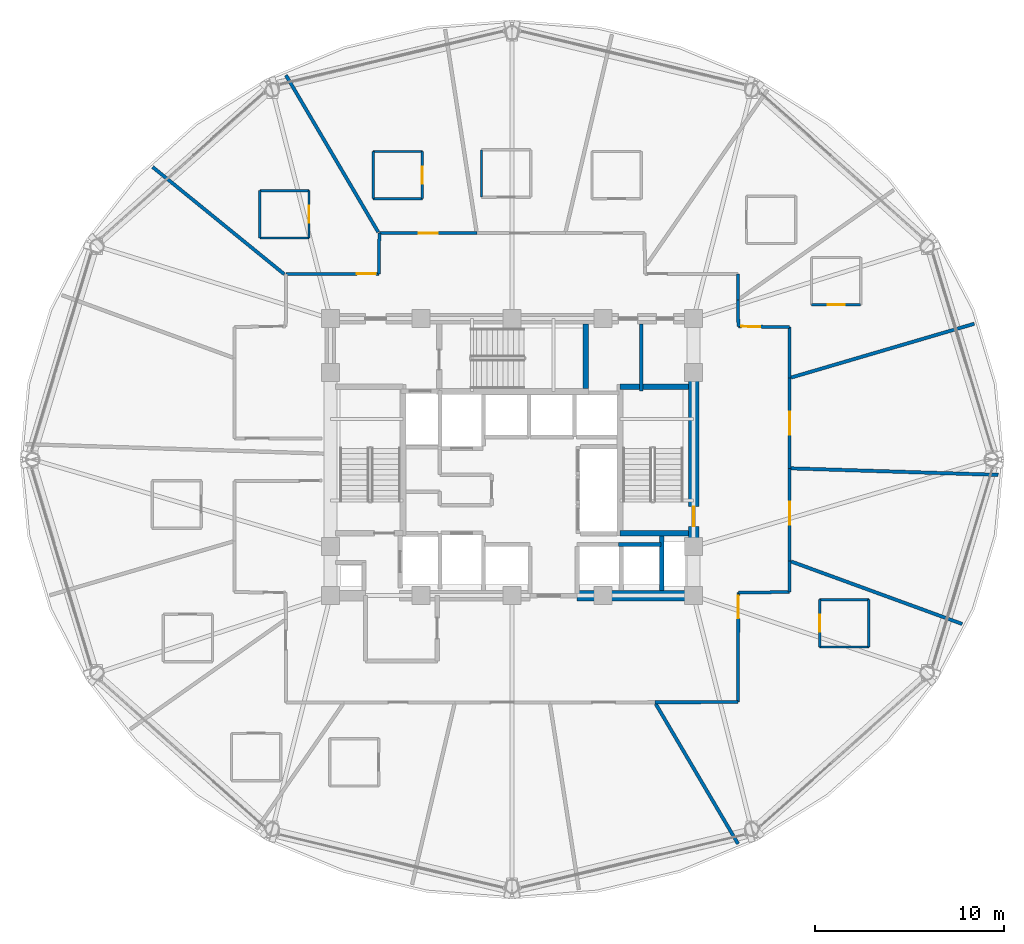
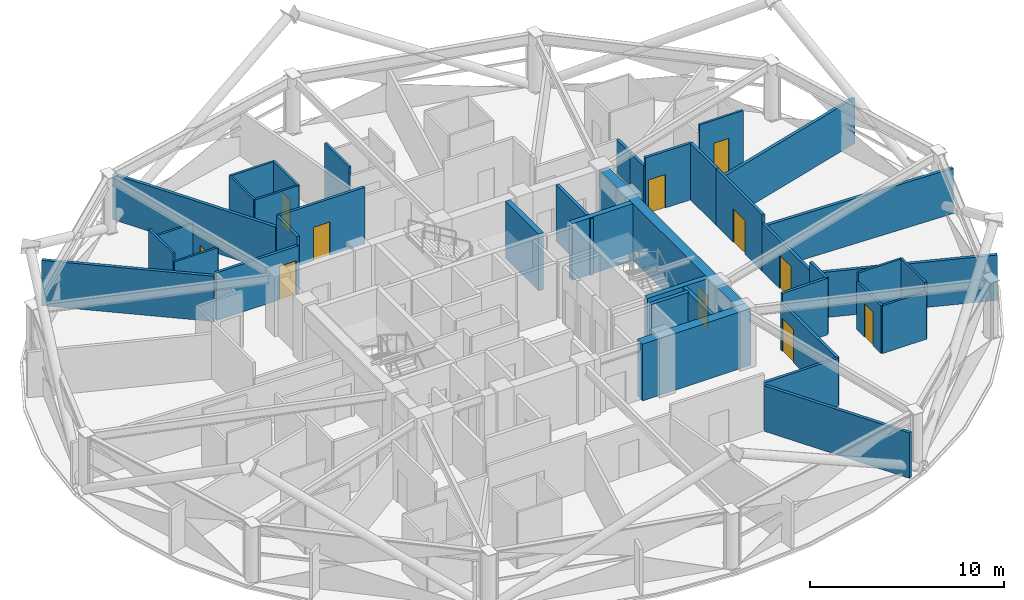
# One storey, part 25 of 30: 41 walls, 11 doors, 11 openings.
"""IFC4 building model written with IfcOpenShell, lengths in metres."""

import ifcopenshell
import ifcopenshell.guid

model = None  # the IFC model being written
_history = None  # IfcOwnerHistory: only IFC2X3 demands one
_inside = {}  # id of a spatial element -> (the spatial element, [elements in it])
_under = {}  # id of a project, library or spatial element -> (it, [spatial elements below it])
_declared = {}  # id of a project -> (the project, [libraries it declares])
_typed = {}  # id of a type object -> (the type object, [elements of that type])
_made_of = {}  # id of a material, layer set ... -> (it, [elements and type objects made of it])


def new_model(schema):
    """Start an empty IFC model of exactly this schema.

    Asked for "IFC4X3", IfcOpenShell would pick the latest addendum, in which some entities
    have other attributes; the version numbers below select the first issue.
    IFC2X3 requires an IfcOwnerHistory on every rooted entity: one is made here for all.
    """
    global model, _history
    if schema == "IFC4X3":
        model = ifcopenshell.file(schema_version=(4, 3, 0, 0))
    else:
        model = ifcopenshell.file(schema=schema)
    _inside.clear()
    _under.clear()
    _declared.clear()
    _typed.clear()
    _made_of.clear()
    _history = None
    if model.schema == "IFC2X3":
        org = make("IfcOrganization", Name="unknown")
        user = make(
            "IfcPersonAndOrganization",
            ThePerson=make("IfcPerson", FamilyName="unknown"),
            TheOrganization=org,
        )
        app = make(
            "IfcApplication",
            ApplicationDeveloper=org,
            Version="unknown",
            ApplicationFullName="unknown",
            ApplicationIdentifier="unknown",
        )
        _history = make(
            "IfcOwnerHistory",
            OwningUser=user,
            OwningApplication=app,
            ChangeAction="ADDED",
            CreationDate=0,
        )
    return model


def make(cls, **values):
    """One entity of the class cls with the attributes given. An attribute that is None is left unset."""
    return model.create_entity(
        cls, **{name: value for name, value in values.items() if value is not None}
    )


def rooted(cls, **values):
    """An entity with a GlobalId (a new one), such as an element, a storey or a relation."""
    return make(cls, GlobalId=ifcopenshell.guid.new(), OwnerHistory=_history, **values)


def si_unit(unit_type, name, prefix=None):
    """IfcSIUnit, for example si_unit("LENGTHUNIT", "METRE", prefix="MILLI")."""
    return make("IfcSIUnit", UnitType=unit_type, Prefix=prefix, Name=name)


def assignment(units):
    """IfcUnitAssignment: the units of a project."""
    return None if units is None else make("IfcUnitAssignment", Units=units)


def point(xyz):
    """IfcCartesianPoint."""
    return None if xyz is None else make("IfcCartesianPoint", Coordinates=xyz)


def direction(xyz):
    """IfcDirection."""
    return None if xyz is None else make("IfcDirection", DirectionRatios=xyz)


def frame(location, z_axis=None, x_axis=None):
    """IfcAxis2Placement3D, a coordinate frame: its origin and axes. An axis left out is left unset."""
    return make(
        "IfcAxis2Placement3D",
        Location=point(location),
        Axis=direction(z_axis),
        RefDirection=direction(x_axis),
    )


def frame_2d(location, x_axis=None):
    """IfcAxis2Placement2D, a coordinate frame in the plane: its origin and x axis."""
    return make(
        "IfcAxis2Placement2D", Location=point(location), RefDirection=direction(x_axis)
    )


def origin():
    """The frame at (0, 0, 0) with its axes left unset."""
    return frame((0.0, 0.0, 0.0))


def place(relative_to, where):
    """IfcLocalPlacement: puts the frame where relative to a parent placement (None: the world)."""
    return make(
        "IfcLocalPlacement", PlacementRelTo=relative_to, RelativePlacement=where
    )


def context(
    kind, dimensions, precision=None, world=None, true_north=None, identifier=None
):
    """IfcGeometricRepresentationContext, for example the 3D "Model" context."""
    return make(
        "IfcGeometricRepresentationContext",
        ContextIdentifier=identifier,
        ContextType=kind,
        CoordinateSpaceDimension=dimensions,
        Precision=precision,
        WorldCoordinateSystem=world,
        TrueNorth=true_north,
    )


def subcontext(parent, identifier, kind, view, scale=None):
    """IfcGeometricRepresentationSubContext, for example "Body" below "Model"."""
    return make(
        "IfcGeometricRepresentationSubContext",
        ContextIdentifier=identifier,
        ContextType=kind,
        ParentContext=parent,
        TargetScale=scale,
        TargetView=view,
    )


def project(units=None, contexts=None):
    """IfcProject with its units and contexts."""
    return rooted(
        "IfcProject",
        Name="project",
        RepresentationContexts=contexts,
        UnitsInContext=assignment(units),
    )


def spatial(cls, under=None, at=None, **own):
    """A site, building, storey or space (cls), placed at a placement, below another one or the project."""
    s = rooted(cls, ObjectPlacement=at, **own)
    if under is not None:
        _under.setdefault(under.id(), (under, []))[1].append(s)
    return s


def profile(cls, at=None, kind="AREA", **sizes):
    """A parametric profile (cls). Its sizes go by their IFC names, for example OverallWidth=200.0."""
    return make(cls, ProfileType=kind, Position=at, **sizes)


def rectangle(**sizes):
    """IfcRectangleProfileDef."""
    return profile("IfcRectangleProfileDef", **sizes)


def extrude(swept, where, along, depth):
    """IfcExtrudedAreaSolid: the profile swept, set in the frame where, extruded along a direction by depth."""
    return make(
        "IfcExtrudedAreaSolid",
        SweptArea=swept,
        Position=where,
        ExtrudedDirection=direction(along),
        Depth=depth,
    )


def shape(context_of_items, identifier, shape_type, items):
    """IfcShapeRepresentation: the items that make up one representation, for example the "Body"."""
    return make(
        "IfcShapeRepresentation",
        ContextOfItems=context_of_items,
        RepresentationIdentifier=identifier,
        RepresentationType=shape_type,
        Items=items,
    )


def material(Name=None, Category=None):
    """IfcMaterial."""
    return make("IfcMaterial", Name=Name, Category=Category)


def layer(
    of_material, thickness, ventilated=None, Name=None, Category=None, Priority=None
):
    """IfcMaterialLayer: one layer of a wall or slab, of a material (None: an air gap)."""
    return make(
        "IfcMaterialLayer",
        Material=of_material,
        LayerThickness=thickness,
        IsVentilated=ventilated,
        Name=Name,
        Category=Category,
        Priority=Priority,
    )


def layer_set(layers, Name=None):
    """IfcMaterialLayerSet."""
    return make("IfcMaterialLayerSet", MaterialLayers=layers, LayerSetName=Name)


def made_of(thing, what):
    """Note that an element or type object is made of a material, layer set ...; save() writes the relation."""
    if what is not None:
        _made_of.setdefault(what.id(), (what, []))[1].append(thing)
    return thing


def type_object(cls, material=None, **own):
    """A type object (cls), such as IfcWallType, which elements share."""
    return made_of(rooted(cls, **own), material)


def element(
    cls,
    number,
    at=None,
    inside=None,
    cuts=None,
    type_object=None,
    material=None,
    context=None,
    identifier="Body",
    shape_type=None,
    held_by="IfcProductDefinitionShape",
    body=None,
    shapes=None,
    **own,
):
    """One element of the class cls, such as IfcWall. Its Tag is "e" and its number.

    at: its placement. inside: the storey or other place that contains it. cuts: it is an
    opening in that element (IfcRelVoidsElement). A single representation is given by context,
    identifier, shape_type and body (its items); several are given by shapes. held_by: the class
    of the entity that holds the representations. save() writes the other relations.
    """
    e = rooted(cls, Tag="e%d" % number, ObjectPlacement=at, **own)
    if body is not None:
        shapes = [shape(context, identifier, shape_type, body)]
    if shapes is not None:
        e.Representation = make(held_by, Representations=shapes)
    if inside is not None:
        _inside.setdefault(inside.id(), (inside, []))[1].append(e)
    if cuts is not None:
        rooted(
            "IfcRelVoidsElement", RelatingBuildingElement=cuts, RelatedOpeningElement=e
        )
    if type_object is not None:
        _typed.setdefault(type_object.id(), (type_object, []))[1].append(e)
    return made_of(e, material)


def fill(opening, filler):
    """IfcRelFillsElement: the door or window that sits in an opening."""
    return rooted(
        "IfcRelFillsElement",
        RelatingOpeningElement=opening,
        RelatedBuildingElement=filler,
    )


def aggregate(whole, parts):
    """IfcRelAggregates: a whole, such as a stair, and the parts it consists of."""
    return rooted("IfcRelAggregates", RelatingObject=whole, RelatedObjects=parts)


def save(model, path):
    """Write the relations noted so far, then the file.

    IfcRelAggregates (storeys below a building ...), IfcRelContainedInSpatialStructure (elements
    in a storey), IfcRelDefinesByType, IfcRelAssociatesMaterial and IfcRelDeclares: one each for
    every whole, place, type object, material and project.
    """
    for whole, parts in _under.values():
        aggregate(whole, parts)
    for where, things in _inside.values():
        rooted(
            "IfcRelContainedInSpatialStructure",
            RelatedElements=things,
            RelatingStructure=where,
        )
    for kind, things in _typed.values():
        rooted("IfcRelDefinesByType", RelatedObjects=things, RelatingType=kind)
    for what, things in _made_of.values():
        rooted("IfcRelAssociatesMaterial", RelatedObjects=things, RelatingMaterial=what)
    for by, libraries in _declared.values():
        rooted("IfcRelDeclares", RelatingContext=by, RelatedDefinitions=libraries)
    model.write(path)


model = new_model("IFC4")

# Units and contexts
model_context = context("Model", 3, precision=1e-05, world=origin(), true_north=direction((0.0, 1.0)))
body_context = subcontext(model_context, "Body", "Model", "MODEL_VIEW")
ifc_project = project(units=[si_unit("LENGTHUNIT", "METRE"), si_unit("AREAUNIT", "SQUARE_METRE"), si_unit("VOLUMEUNIT", "CUBIC_METRE"), si_unit("PLANEANGLEUNIT", "RADIAN"), si_unit("MASSUNIT", "GRAM", prefix="KILO")], contexts=[model_context])

# Site, building, storey
site_placement = place(None, origin())
site = spatial("IfcSite", under=ifc_project, at=site_placement, CompositionType="ELEMENT")
building_placement = place(site_placement, origin())
building = spatial("IfcBuilding", under=site, at=building_placement, Name="Vantalir Tower", CompositionType="ELEMENT")
storey_placement = place(building_placement, frame((0.0, 0.0, 119.699951171875)))
storey = spatial("IfcBuildingStorey", under=building, at=storey_placement, Name="L29", CompositionType="ELEMENT", Elevation=119.699951171875)

# Wall, opening, door
ifc_material_1 = material(Name="Moisture-resistant en-suite partition", Category="gypsum")
ifc_layer_1 = layer(ifc_material_1, 0.125)
ifc_layer_set_1 = layer_set([ifc_layer_1], Name="Moisture-resistant en-suite partition")
wall_type_1 = type_object("IfcWallType", Name="WL-BATH-125", PredefinedType="PARTITIONING", material=ifc_layer_set_1)
wall_1_placement = place(storey_placement, frame((47.333984375, 33.18310546875, 0.0), z_axis=(0.0, 0.0, 1.0), x_axis=(1.0, 0.0, 0.0)))
wall_1 = element("IfcWall", 1, at=wall_1_placement, inside=storey, type_object=wall_type_1, Name="L29 En-suite 01 South Wall", PredefinedType="PARTITIONING", context=body_context, shape_type="SweptSolid", body=[
    extrude(rectangle(XDim=2.60009765625, YDim=0.125, at=frame_2d((1.300048828125, 0.0))), origin(), (0.0, 0.0, 1.0), 3.550048828125),
])
opening_1_placement = place(wall_1_placement, frame((0.85009765625, 0.0, 0.0)))
opening_1 = element("IfcOpeningElement", 2, at=opening_1_placement, cuts=wall_1, Name="Opening D-WC", PredefinedType="OPENING", context=body_context, shape_type="SweptSolid", body=[
    extrude(rectangle(XDim=0.89990234375, YDim=2.10009765625, at=frame_2d((0.449951171875, 1.050048828125))), frame((0.0, 0.072509765625, 0.0), z_axis=(0.0, -1.0, 0.0), x_axis=(1.0, 0.0, 0.0)), (0.0, 0.0, 1.0), 0.14501953125),
])
ifc_material_2 = material(Name="Moisture-resistant hardwood door", Category="wood")
door_type_1 = type_object("IfcDoorType", Name="DR-ENSUITE-900", OperationType="NOTDEFINED", PredefinedType="DOOR", material=ifc_material_2)
door_1_placement = place(opening_1_placement, origin())
door_1 = element("IfcDoor", 3, at=door_1_placement, inside=storey, type_object=door_type_1, Name="L29 En-suite 01 Door", OperationType="SINGLE_SWING_LEFT", OverallHeight=2.10009765625, OverallWidth=0.89990234375, PredefinedType="DOOR", context=body_context, shape_type="SweptSolid", body=[
    extrude(rectangle(XDim=0.89990234375, YDim=2.10009765625, at=frame_2d((0.449951171875, 1.050048828125))), frame((0.0, 0.02490234375, 0.0), z_axis=(0.0, -1.0, 0.0), x_axis=(1.0, 0.0, 0.0)), (0.0, 0.0, 1.0), 0.050048828125),
])
fill(opening_1, door_1)

# Walls
wall_2_placement = place(storey_placement, frame((29.887939453125, 38.875, 0.0), z_axis=(0.0, 0.0, 1.0), x_axis=(0.0, 1.0, 0.0)))
element("IfcWall", 4, at=wall_2_placement, inside=storey, type_object=wall_type_1, Name="L29 En-suite 04 West Wall", PredefinedType="PARTITIONING", context=body_context, shape_type="SweptSolid", body=[
    extrude(rectangle(XDim=2.5, YDim=0.125, at=frame_2d((1.25, 0.0))), origin(), (0.0, 0.0, 1.0), 3.550048828125),
])
for number, where, z_axis, x_axis, name in (
    (5, (24.162109375, 38.791015625, 0.0), (0.0, 0.0, 1.0), (1.0, 0.0, 0.0), "L29 En-suite 05 South Wall"),
    (6, (24.162109375, 41.291015625, 0.0), (0.0, 0.0, 1.0), (1.0, 0.0, 0.0), "L29 En-suite 05 North Wall"),
):
    element("IfcWall", number, at=place(storey_placement, frame(where, z_axis=z_axis, x_axis=x_axis)), inside=storey, type_object=wall_type_1, Name=name, PredefinedType="PARTITIONING", context=body_context, shape_type="SweptSolid", body=[
        extrude(rectangle(XDim=2.599853515625, YDim=0.125, at=frame_2d((1.2998046875, 0.0))), origin(), (0.0, 0.0, 1.0), 3.550048828125),
    ])
wall_3_placement = place(storey_placement, frame((24.162109375, 38.791015625, 0.0), z_axis=(0.0, 0.0, 1.0), x_axis=(0.0, 1.0, 0.0)))
element("IfcWall", 7, at=wall_3_placement, inside=storey, type_object=wall_type_1, Name="L29 En-suite 05 West Wall", PredefinedType="PARTITIONING", context=body_context, shape_type="SweptSolid", body=[
    extrude(rectangle(XDim=2.5, YDim=0.125, at=frame_2d((1.25, 0.0))), origin(), (0.0, 0.0, 1.0), 3.550048828125),
])

# Wall, opening, door
wall_4_placement = place(storey_placement, frame((26.761962890625, 38.791015625, 0.0), z_axis=(0.0, 0.0, 1.0), x_axis=(0.0, 1.0, 0.0)))
wall_4 = element("IfcWall", 8, at=wall_4_placement, inside=storey, type_object=wall_type_1, Name="L29 En-suite 05 East Wall", PredefinedType="PARTITIONING", context=body_context, shape_type="SweptSolid", body=[
    extrude(rectangle(XDim=2.5, YDim=0.125, at=frame_2d((1.25, 0.0))), origin(), (0.0, 0.0, 1.0), 3.550048828125),
])
opening_2_placement = place(wall_4_placement, frame((0.800048828125, 0.0, 0.0)))
opening_2 = element("IfcOpeningElement", 9, at=opening_2_placement, cuts=wall_4, Name="Opening D-WC", PredefinedType="OPENING", context=body_context, shape_type="SweptSolid", body=[
    extrude(rectangle(XDim=0.89990234375, YDim=2.10009765625, at=frame_2d((0.449951171875, 1.050048828125))), frame((0.0, 0.072509765625, 0.0), z_axis=(0.0, -1.0, 0.0), x_axis=(1.0, 0.0, 0.0)), (0.0, 0.0, 1.0), 0.14501953125),
])
door_2_placement = place(opening_2_placement, origin())
door_2 = element("IfcDoor", 10, at=door_2_placement, inside=storey, type_object=door_type_1, Name="L29 En-suite 05 Door", OperationType="SINGLE_SWING_LEFT", OverallHeight=2.10009765625, OverallWidth=0.89990234375, PredefinedType="DOOR", context=body_context, shape_type="SweptSolid", body=[
    extrude(rectangle(XDim=0.89990234375, YDim=2.10009765625, at=frame_2d((0.449951171875, 1.050048828125))), frame((0.0, 0.02490234375, 0.0), z_axis=(0.0, -1.0, 0.0), x_axis=(1.0, 0.0, 0.0)), (0.0, 0.0, 1.0), 0.050048828125),
])
fill(opening_2, door_2)

# Walls
for number, where, z_axis, x_axis, name in (
    (11, (18.166015625, 36.715087890625, 0.0), (0.0, 0.0, 1.0), (1.0, 0.0, 0.0), "L29 En-suite 06 South Wall"),
    (12, (18.166015625, 39.215087890625, 0.0), (0.0, 0.0, 1.0), (1.0, 0.0, 0.0), "L29 En-suite 06 North Wall"),
):
    element("IfcWall", number, at=place(storey_placement, frame(where, z_axis=z_axis, x_axis=x_axis)), inside=storey, type_object=wall_type_1, Name=name, PredefinedType="PARTITIONING", context=body_context, shape_type="SweptSolid", body=[
        extrude(rectangle(XDim=2.60009765625, YDim=0.125, at=frame_2d((1.300048828125, 0.0))), origin(), (0.0, 0.0, 1.0), 3.006103515625),
    ])
wall_5_placement = place(storey_placement, frame((18.166015625, 36.715087890625, 0.0), z_axis=(0.0, 0.0, 1.0), x_axis=(0.0, 1.0, 0.0)))
element("IfcWall", 13, at=wall_5_placement, inside=storey, type_object=wall_type_1, Name="L29 En-suite 06 West Wall", PredefinedType="PARTITIONING", context=body_context, shape_type="SweptSolid", body=[
    extrude(rectangle(XDim=2.5, YDim=0.125, at=frame_2d((1.25, 0.0))), origin(), (0.0, 0.0, 1.0), 3.550048828125),
])

# Wall, opening, door
wall_6_placement = place(storey_placement, frame((20.76611328125, 36.715087890625, 0.0), z_axis=(0.0, 0.0, 1.0), x_axis=(0.0, 1.0, 0.0)))
wall_6 = element("IfcWall", 14, at=wall_6_placement, inside=storey, type_object=wall_type_1, Name="L29 En-suite 06 East Wall", PredefinedType="PARTITIONING", context=body_context, shape_type="SweptSolid", body=[
    extrude(rectangle(XDim=2.5, YDim=0.125, at=frame_2d((1.25, 0.0))), origin(), (0.0, 0.0, 1.0), 3.006103515625),
])
opening_3_placement = place(wall_6_placement, frame((0.800048828125, 0.0, 0.0)))
opening_3 = element("IfcOpeningElement", 15, at=opening_3_placement, cuts=wall_6, Name="Opening D-WC", PredefinedType="OPENING", context=body_context, shape_type="SweptSolid", body=[
    extrude(rectangle(XDim=0.89990234375, YDim=2.10009765625, at=frame_2d((0.449951171875, 1.050048828125))), frame((0.0, 0.072509765625, 0.0), z_axis=(0.0, -1.0, 0.0), x_axis=(1.0, 0.0, 0.0)), (0.0, 0.0, 1.0), 0.14501953125),
])
door_3_placement = place(opening_3_placement, origin())
door_3 = element("IfcDoor", 16, at=door_3_placement, inside=storey, type_object=door_type_1, Name="L29 En-suite 06 Door", OperationType="SINGLE_SWING_RIGHT", OverallHeight=2.10009765625, OverallWidth=0.89990234375, PredefinedType="DOOR", context=body_context, shape_type="SweptSolid", body=[
    extrude(rectangle(XDim=0.89990234375, YDim=2.10009765625, at=frame_2d((0.449951171875, 1.050048828125))), frame((0.0, 0.02490234375, 0.0), z_axis=(0.0, -1.0, 0.0), x_axis=(1.0, 0.0, 0.0)), (0.0, 0.0, 1.0), 0.050048828125),
])
fill(opening_3, door_3)

# Walls
wall_7_placement = place(storey_placement, frame((47.76904296875, 15.091064453125, 0.0), z_axis=(0.0, 0.0, 1.0), x_axis=(1.0, 0.0, 0.0)))
element("IfcWall", 17, at=wall_7_placement, inside=storey, type_object=wall_type_1, Name="L29 En-suite 15 South Wall", PredefinedType="PARTITIONING", context=body_context, shape_type="SweptSolid", body=[
    extrude(rectangle(XDim=2.599853515625, YDim=0.125, at=frame_2d((1.2998046875, 0.0))), origin(), (0.0, 0.0, 1.0), 3.006103515625),
])
wall_8_placement = place(storey_placement, frame((47.76904296875, 17.591064453125, 0.0), z_axis=(0.0, 0.0, 1.0), x_axis=(1.0, 0.0, 0.0)))
element("IfcWall", 18, at=wall_8_placement, inside=storey, type_object=wall_type_1, Name="L29 En-suite 15 North Wall", PredefinedType="PARTITIONING", context=body_context, shape_type="SweptSolid", body=[
    extrude(rectangle(XDim=2.599853515625, YDim=0.125, at=frame_2d((1.2998046875, 0.0))), origin(), (0.0, 0.0, 1.0), 3.550048828125),
])

# Wall, opening, door
wall_9_placement = place(storey_placement, frame((47.76904296875, 15.091064453125, 0.0), z_axis=(0.0, 0.0, 1.0), x_axis=(0.0, 1.0, 0.0)))
wall_9 = element("IfcWall", 19, at=wall_9_placement, inside=storey, type_object=wall_type_1, Name="L29 En-suite 15 West Wall", PredefinedType="PARTITIONING", context=body_context, shape_type="SweptSolid", body=[
    extrude(rectangle(XDim=2.5, YDim=0.125, at=frame_2d((1.25, 0.0))), origin(), (0.0, 0.0, 1.0), 3.006103515625),
])
opening_4_placement = place(wall_9_placement, frame((0.800048828125, 0.0, 0.0)))
opening_4 = element("IfcOpeningElement", 20, at=opening_4_placement, cuts=wall_9, Name="Opening D-WC", PredefinedType="OPENING", context=body_context, shape_type="SweptSolid", body=[
    extrude(rectangle(XDim=0.89990234375, YDim=2.10009765625, at=frame_2d((0.449951171875, 1.050048828125))), frame((0.0, 0.072509765625, 0.0), z_axis=(0.0, -1.0, 0.0), x_axis=(1.0, 0.0, 0.0)), (0.0, 0.0, 1.0), 0.14501953125),
])
door_4_placement = place(opening_4_placement, frame((0.89990234375, 0.0, 0.0), z_axis=(0.0, 0.0, 1.0), x_axis=(-1.0, 0.0, 0.0)))
door_4 = element("IfcDoor", 21, at=door_4_placement, inside=storey, type_object=door_type_1, Name="L29 En-suite 15 Door", OperationType="SINGLE_SWING_LEFT", OverallHeight=2.10009765625, OverallWidth=0.89990234375, PredefinedType="DOOR", context=body_context, shape_type="SweptSolid", body=[
    extrude(rectangle(XDim=0.89990234375, YDim=2.10009765625, at=frame_2d((0.449951171875, 1.050048828125))), frame((0.0, 0.02490234375, 0.0), z_axis=(0.0, -1.0, 0.0), x_axis=(1.0, 0.0, 0.0)), (0.0, 0.0, 1.0), 0.050048828125),
])
fill(opening_4, door_4)

# Walls
wall_10_placement = place(storey_placement, frame((50.368896484375, 15.091064453125, 0.0), z_axis=(0.0, 0.0, 1.0), x_axis=(0.0, 1.0, 0.0)))
element("IfcWall", 22, at=wall_10_placement, inside=storey, type_object=wall_type_1, Name="L29 En-suite 15 East Wall", PredefinedType="PARTITIONING", context=body_context, shape_type="SweptSolid", body=[
    extrude(rectangle(XDim=2.5, YDim=0.125, at=frame_2d((1.25, 0.0))), origin(), (0.0, 0.0, 1.0), 3.550048828125),
])
ifc_material_3 = material(Name="Concrete C60/75", Category="concrete")
ifc_layer_2 = layer(ifc_material_3, 0.550048828125)
ifc_layer_set_2 = layer_set([ifc_layer_2], Name="Concrete C60/75")
wall_type_2 = type_object("IfcWallType", Name="WL-CORE-550", PredefinedType="SHEAR", material=ifc_layer_set_2)
wall_11_placement = place(storey_placement, frame((34.949951171875, 17.800048828125, 0.0), z_axis=(0.0, 0.0, 1.0), x_axis=(1.0, 0.0, 0.0)))
element("IfcWall", 23, at=wall_11_placement, inside=storey, type_object=wall_type_2, Name="L29 Core Shear Wall South-East", PredefinedType="SHEAR", context=body_context, shape_type="SweptSolid", body=[
    extrude(rectangle(XDim=6.425048828125, YDim=0.550048828125, at=frame_2d((3.21240234375, 0.0))), origin(), (0.0, 0.0, 1.0), 3.570068359375),
])

# Wall, opening, door
wall_12_placement = place(storey_placement, frame((41.10009765625, 18.074951171875, 0.0), z_axis=(0.0, 0.0, 1.0), x_axis=(0.0, 1.0, 0.0)))
wall_12 = element("IfcWall", 24, at=wall_12_placement, inside=storey, type_object=wall_type_2, Name="L29 Core Shear Wall East", PredefinedType="SHEAR", context=body_context, shape_type="SweptSolid", body=[
    extrude(rectangle(XDim=14.10009765625, YDim=0.550048828125, at=frame_2d((7.050048828125, 0.0))), origin(), (0.0, 0.0, 1.0), 3.570068359375),
])
opening_5_placement = place(wall_12_placement, frame((3.385009765625, 0.0, 0.0)))
opening_5 = element("IfcOpeningElement", 25, at=opening_5_placement, cuts=wall_12, Name="Opening D-ST", PredefinedType="OPENING", context=body_context, shape_type="SweptSolid", body=[
    extrude(rectangle(XDim=1.050048828125, YDim=2.10009765625, at=frame_2d((0.52490234375, 1.050048828125))), frame((0.0, 0.284912109375, 0.0), z_axis=(0.0, -1.0, 0.0), x_axis=(1.0, 0.0, 0.0)), (0.0, 0.0, 1.0), 0.570068359375),
])
ifc_material_4 = material(Name="Fire-rated steel door leaf", Category="steel")
door_type_2 = type_object("IfcDoorType", Name="DR-FIRE-STAIR-1050", OperationType="NOTDEFINED", PredefinedType="DOOR", material=ifc_material_4)
door_5_placement = place(opening_5_placement, origin())
door_5 = element("IfcDoor", 26, at=door_5_placement, inside=storey, type_object=door_type_2, Name="L29 Exit Stair ST2 Fire Door", OperationType="SINGLE_SWING_LEFT", OverallHeight=2.10009765625, OverallWidth=1.050048828125, PredefinedType="DOOR", context=body_context, shape_type="SweptSolid", body=[
    extrude(rectangle(XDim=1.050048828125, YDim=2.10009765625, at=frame_2d((0.52490234375, 1.050048828125))), frame((0.0, 0.02490234375, 0.0), z_axis=(0.0, -1.0, 0.0), x_axis=(1.0, 0.0, 0.0)), (0.0, 0.0, 1.0), 0.050048828125),
])
fill(opening_5, door_5)

ifc_material_5 = material(Name="Fire-rated hotel corridor acoustic partition", Category="gypsum")
ifc_layer_3 = layer(ifc_material_5, 0.159912109375)
ifc_layer_set_3 = layer_set([ifc_layer_3], Name="Fire-rated hotel corridor acoustic partition")
wall_type_3 = type_object("IfcWallType", Name="WL-CORR-160", PredefinedType="PARTITIONING", material=ifc_layer_set_3)
wall_13_placement = place(storey_placement, frame((19.56005859375, 34.81201171875, 0.0), z_axis=(0.0, 0.0, 1.0), x_axis=(0.999999821253, 0.000597907217, 0.0)))
wall_13 = element("IfcWall", 27, at=wall_13_placement, inside=storey, type_object=wall_type_3, Name="L29 Corridor Partition 06", PredefinedType="PARTITIONING", context=body_context, shape_type="SweptSolid", body=[
    extrude(rectangle(XDim=4.89990234375, YDim=0.159912109375, at=frame_2d((2.449951171875, 0.0))), origin(), (0.0, 0.0, 1.0), 3.006103515625),
])
opening_6_placement = place(wall_13_placement, frame((3.739990234375, 0.0, 0.0)))
opening_6 = element("IfcOpeningElement", 28, at=opening_6_placement, cuts=wall_13, Name="Opening D-GUEST", PredefinedType="OPENING", context=body_context, shape_type="SweptSolid", body=[
    extrude(rectangle(XDim=1.0, YDim=2.10009765625, at=frame_2d((0.5, 1.050048828125))), frame((0.0, 0.08984375, 0.0), z_axis=(0.0, -1.0, 0.0), x_axis=(1.0, 0.0, 0.0)), (0.0, 0.0, 1.0), 0.179931640625),
])
ifc_material_6 = material(Name="Solid-core teak veneer acoustic fire door", Category="wood")
door_type_3 = type_object("IfcDoorType", Name="DR-GUEST-ENTRY-1000", OperationType="NOTDEFINED", PredefinedType="DOOR", material=ifc_material_6)
door_6_placement = place(opening_6_placement, origin())
door_6 = element("IfcDoor", 29, at=door_6_placement, inside=storey, type_object=door_type_3, Name="L29 Deluxe King Hotel Room 06 Door", OperationType="SINGLE_SWING_RIGHT", OverallHeight=2.10009765625, OverallWidth=1.0, PredefinedType="DOOR", context=body_context, shape_type="SweptSolid", body=[
    extrude(rectangle(XDim=1.0, YDim=2.10009765625, at=frame_2d((0.5, 1.050048828125))), frame((0.0, 0.02490234375, 0.0), z_axis=(0.0, -1.0, 0.0), x_axis=(1.0, 0.0, 0.0)), (0.0, 0.0, 1.0), 0.050048828125),
])
fill(opening_6, door_6)

# Wall
wall_14_placement = place(storey_placement, frame((24.4599609375, 34.81494140625, 0.0), z_axis=(0.0, 0.0, 1.0), x_axis=(0.011645524132, 0.999932188585, 0.0)))
element("IfcWall", 30, at=wall_14_placement, inside=storey, type_object=wall_type_3, Name="L29 Corridor Partition 07", PredefinedType="PARTITIONING", context=body_context, shape_type="SweptSolid", body=[
    extrude(rectangle(XDim=2.159423828125, YDim=0.159912109375, at=frame_2d((1.07958984375, 0.0))), origin(), (0.0, 0.0, 1.0), 3.550048828125),
])

# Wall, opening, door
wall_15_placement = place(storey_placement, frame((24.485107421875, 36.97412109375, 0.0), z_axis=(0.0, 0.0, 1.0), x_axis=(0.999999928165, 0.000379039109, 0.0)))
wall_15 = element("IfcWall", 31, at=wall_15_placement, inside=storey, type_object=wall_type_3, Name="L29 Corridor Partition 08", PredefinedType="PARTITIONING", context=body_context, shape_type="SweptSolid", body=[
    extrude(rectangle(XDim=5.15283203125, YDim=0.159912109375, at=frame_2d((2.576416015625, 0.0))), origin(), (0.0, 0.0, 1.0), 3.550048828125),
])
opening_7_placement = place(wall_15_placement, frame((2.076904296875, 0.0, 0.0)))
opening_7 = element("IfcOpeningElement", 32, at=opening_7_placement, cuts=wall_15, Name="Opening D-GUEST", PredefinedType="OPENING", context=body_context, shape_type="SweptSolid", body=[
    extrude(rectangle(XDim=1.0, YDim=2.10009765625, at=frame_2d((0.5, 1.050048828125))), frame((0.0, 0.08984375, 0.0), z_axis=(0.0, -1.0, 0.0), x_axis=(1.0, 0.0, 0.0)), (0.0, 0.0, 1.0), 0.179931640625),
])
door_7_placement = place(opening_7_placement, origin())
door_7 = element("IfcDoor", 33, at=door_7_placement, inside=storey, type_object=door_type_3, Name="L29 Twin Queen Hotel Room 05 Door", OperationType="SINGLE_SWING_LEFT", OverallHeight=2.10009765625, OverallWidth=1.0, PredefinedType="DOOR", context=body_context, shape_type="SweptSolid", body=[
    extrude(rectangle(XDim=1.0, YDim=2.10009765625, at=frame_2d((0.5, 1.050048828125))), frame((0.0, 0.02490234375, 0.0), z_axis=(0.0, -1.0, 0.0), x_axis=(1.0, 0.0, 0.0)), (0.0, 0.0, 1.0), 0.050048828125),
])
fill(opening_7, door_7)

# Walls
wall_16_placement = place(storey_placement, frame((43.447021484375, 34.80810546875, 0.0), z_axis=(0.0, 0.0, 1.0), x_axis=(0.006622371337, -0.999978071859, 0.0)))
element("IfcWall", 34, at=wall_16_placement, inside=storey, type_object=wall_type_3, Name="L29 Corridor Partition 14", PredefinedType="PARTITIONING", context=body_context, shape_type="SweptSolid", body=[
    extrude(rectangle(XDim=1.364013671875, YDim=0.159912109375, at=frame_2d((0.68212890625, 0.0))), origin(), (0.0, 0.0, 1.0), 3.006103515625),
])
wall_17_placement = place(storey_placement, frame((43.4560546875, 33.444091796875, 0.0), z_axis=(0.0, 0.0, 1.0), x_axis=(0.006433530564, -0.999979304628, 0.0)))
element("IfcWall", 35, at=wall_17_placement, inside=storey, type_object=wall_type_3, Name="L29 Corridor Partition 15", PredefinedType="PARTITIONING", context=body_context, shape_type="SweptSolid", body=[
    extrude(rectangle(XDim=1.404052734375, YDim=0.159912109375, at=frame_2d((0.7021484375, 0.0))), origin(), (0.0, 0.0, 1.0), 3.006103515625),
])

# Wall, opening, door
wall_18_placement = place(storey_placement, frame((43.465087890625, 32.0400390625, 0.0), z_axis=(0.0, 0.0, 1.0), x_axis=(0.999891263015, -0.014746597764, 0.0)))
wall_18 = element("IfcWall", 36, at=wall_18_placement, inside=storey, type_object=wall_type_3, Name="L29 Corridor Partition 16", PredefinedType="PARTITIONING", context=body_context, shape_type="SweptSolid", body=[
    extrude(rectangle(XDim=2.715087890625, YDim=0.159912109375, at=frame_2d((1.357421875, 0.0))), origin(), (0.0, 0.0, 1.0), 3.550048828125),
])
opening_8_placement = place(wall_18_placement, frame((0.159912109375, 0.0, 0.0)))
opening_8 = element("IfcOpeningElement", 37, at=opening_8_placement, cuts=wall_18, Name="Opening D-GUEST", PredefinedType="OPENING", context=body_context, shape_type="SweptSolid", body=[
    extrude(rectangle(XDim=1.0, YDim=2.10009765625, at=frame_2d((0.5, 1.050048828125))), frame((0.0, 0.08984375, 0.0), z_axis=(0.0, -1.0, 0.0), x_axis=(1.0, 0.0, 0.0)), (0.0, 0.0, 1.0), 0.179931640625),
])
door_8_placement = place(opening_8_placement, origin())
door_8 = element("IfcDoor", 38, at=door_8_placement, inside=storey, type_object=door_type_3, Name="L29 Twin Queen Hotel Room 01 Door", OperationType="SINGLE_SWING_LEFT", OverallHeight=2.10009765625, OverallWidth=1.0, PredefinedType="DOOR", context=body_context, shape_type="SweptSolid", body=[
    extrude(rectangle(XDim=1.0, YDim=2.10009765625, at=frame_2d((0.5, 1.050048828125))), frame((0.0, 0.02490234375, 0.0), z_axis=(0.0, -1.0, 0.0), x_axis=(1.0, 0.0, 0.0)), (0.0, 0.0, 1.0), 0.050048828125),
])
fill(opening_8, door_8)

# Wall
wall_19_placement = place(storey_placement, frame((46.179931640625, 32.0, 0.0), z_axis=(0.0, 0.0, 1.0), x_axis=(0.0, -1.0, 0.0)))
element("IfcWall", 39, at=wall_19_placement, inside=storey, type_object=wall_type_3, Name="L29 Corridor Partition 17", PredefinedType="PARTITIONING", context=body_context, shape_type="SweptSolid", body=[
    extrude(rectangle(XDim=2.68798828125, YDim=0.159912109375, at=frame_2d((1.343994140625, 0.0))), origin(), (0.0, 0.0, 1.0), 3.550048828125),
])

# Wall, opening, door
wall_20_placement = place(storey_placement, frame((46.179931640625, 29.31201171875, 0.0), z_axis=(0.0, 0.0, 1.0), x_axis=(0.0, -1.0, 0.0)))
wall_20 = element("IfcWall", 40, at=wall_20_placement, inside=storey, type_object=wall_type_3, Name="L29 Corridor Partition 18", PredefinedType="PARTITIONING", context=body_context, shape_type="SweptSolid", body=[
    extrude(rectangle(XDim=4.77490234375, YDim=0.159912109375, at=frame_2d((2.387451171875, 0.0))), origin(), (0.0, 0.0, 1.0), 3.550048828125),
])
opening_9_placement = place(wall_20_placement, frame((1.7880859375, 0.0, 0.0)))
opening_9 = element("IfcOpeningElement", 41, at=opening_9_placement, cuts=wall_20, Name="Opening D-STE", PredefinedType="OPENING", context=body_context, shape_type="SweptSolid", body=[
    extrude(rectangle(XDim=1.199951171875, YDim=2.10009765625, at=frame_2d((0.60009765625, 1.050048828125))), frame((0.0, 0.08984375, 0.0), z_axis=(0.0, -1.0, 0.0), x_axis=(1.0, 0.0, 0.0)), (0.0, 0.0, 1.0), 0.179931640625),
])
ifc_material_7 = material(Name="Solid-core teak veneer suite entrance door", Category="wood")
door_type_4 = type_object("IfcDoorType", Name="DR-SUITE-ENTRY-1200", OperationType="NOTDEFINED", PredefinedType="DOOR", material=ifc_material_7)
door_9_placement = place(opening_9_placement, origin())
door_9 = element("IfcDoor", 42, at=door_9_placement, inside=storey, type_object=door_type_4, Name="L29 Executive Sky Boardroom 17 Door", OperationType="SINGLE_SWING_LEFT", OverallHeight=2.10009765625, OverallWidth=1.199951171875, PredefinedType="DOOR", context=body_context, shape_type="SweptSolid", body=[
    extrude(rectangle(XDim=1.199951171875, YDim=2.10009765625, at=frame_2d((0.60009765625, 1.050048828125))), frame((0.0, 0.02490234375, 0.0), z_axis=(0.0, -1.0, 0.0), x_axis=(1.0, 0.0, 0.0)), (0.0, 0.0, 1.0), 0.050048828125),
])
fill(opening_9, door_9)

wall_21_placement = place(storey_placement, frame((46.179931640625, 24.537109375, 0.0), z_axis=(0.0, 0.0, 1.0), x_axis=(0.0, -1.0, 0.0)))
wall_21 = element("IfcWall", 43, at=wall_21_placement, inside=storey, type_object=wall_type_3, Name="L29 Corridor Partition 19", PredefinedType="PARTITIONING", context=body_context, shape_type="SweptSolid", body=[
    extrude(rectangle(XDim=4.898193359375, YDim=0.159912109375, at=frame_2d((2.44921875, 0.0))), origin(), (0.0, 0.0, 1.0), 3.006103515625),
])
opening_10_placement = place(wall_21_placement, frame((1.77587890625, 0.0, 0.0)))
opening_10 = element("IfcOpeningElement", 44, at=opening_10_placement, cuts=wall_21, Name="Opening D-STE", PredefinedType="OPENING", context=body_context, shape_type="SweptSolid", body=[
    extrude(rectangle(XDim=1.199951171875, YDim=2.10009765625, at=frame_2d((0.60009765625, 1.050048828125))), frame((0.0, 0.08984375, 0.0), z_axis=(0.0, -1.0, 0.0), x_axis=(1.0, 0.0, 0.0)), (0.0, 0.0, 1.0), 0.179931640625),
])
door_10_placement = place(opening_10_placement, origin())
door_10 = element("IfcDoor", 45, at=door_10_placement, inside=storey, type_object=door_type_4, Name="L29 Club Reading Lounge 16 Door", OperationType="SINGLE_SWING_RIGHT", OverallHeight=2.10009765625, OverallWidth=1.199951171875, PredefinedType="DOOR", context=body_context, shape_type="SweptSolid", body=[
    extrude(rectangle(XDim=1.199951171875, YDim=2.10009765625, at=frame_2d((0.60009765625, 1.050048828125))), frame((0.0, 0.02490234375, 0.0), z_axis=(0.0, -1.0, 0.0), x_axis=(1.0, 0.0, 0.0)), (0.0, 0.0, 1.0), 0.050048828125),
])
fill(opening_10, door_10)

# Walls
wall_22_placement = place(storey_placement, frame((46.179931640625, 19.638916015625, 0.0), z_axis=(0.0, 0.0, 1.0), x_axis=(0.0, -1.0, 0.0)))
element("IfcWall", 46, at=wall_22_placement, inside=storey, type_object=wall_type_3, Name="L29 Corridor Partition 20", PredefinedType="PARTITIONING", context=body_context, shape_type="SweptSolid", body=[
    extrude(rectangle(XDim=1.642822265625, YDim=0.159912109375, at=frame_2d((0.8212890625, 0.0))), origin(), (0.0, 0.0, 1.0), 3.550048828125),
])
wall_23_placement = place(storey_placement, frame((46.179931640625, 17.99609375, 0.0), z_axis=(0.0, 0.0, 1.0), x_axis=(-0.999911442333, -0.013308173873, 0.0)))
element("IfcWall", 47, at=wall_23_placement, inside=storey, type_object=wall_type_3, Name="L29 Corridor Partition 21", PredefinedType="PARTITIONING", context=body_context, shape_type="SweptSolid", body=[
    extrude(rectangle(XDim=2.715087890625, YDim=0.159912109375, at=frame_2d((1.357421875, 0.0))), origin(), (0.0, 0.0, 1.0), 3.550048828125),
])

# Wall, opening, door
wall_24_placement = place(storey_placement, frame((43.465087890625, 17.9599609375, 0.0), z_axis=(0.0, 0.0, 1.0), x_axis=(-0.001222389915, -0.999999252881, 0.0)))
wall_24 = element("IfcWall", 48, at=wall_24_placement, inside=storey, type_object=wall_type_3, Name="L29 Corridor Partition 22", PredefinedType="PARTITIONING", context=body_context, shape_type="SweptSolid", body=[
    extrude(rectangle(XDim=5.7919921875, YDim=0.159912109375, at=frame_2d((2.89599609375, 0.0))), origin(), (0.0, 0.0, 1.0), 3.006103515625),
])
opening_11_placement = place(wall_24_placement, frame((0.159912109375, 0.0, 0.0)))
opening_11 = element("IfcOpeningElement", 49, at=opening_11_placement, cuts=wall_24, Name="Opening D-STE", PredefinedType="OPENING", context=body_context, shape_type="SweptSolid", body=[
    extrude(rectangle(XDim=1.199951171875, YDim=2.10009765625, at=frame_2d((0.60009765625, 1.050048828125))), frame((0.0, 0.08984375, 0.0), z_axis=(0.0, -1.0, 0.0), x_axis=(1.0, 0.0, 0.0)), (0.0, 0.0, 1.0), 0.179931640625),
])
door_11_placement = place(opening_11_placement, origin())
door_11 = element("IfcDoor", 50, at=door_11_placement, inside=storey, type_object=door_type_4, Name="L29 Executive Club Hotel Suite 15 Door", OperationType="SINGLE_SWING_LEFT", OverallHeight=2.10009765625, OverallWidth=1.199951171875, PredefinedType="DOOR", context=body_context, shape_type="SweptSolid", body=[
    extrude(rectangle(XDim=1.199951171875, YDim=2.10009765625, at=frame_2d((0.60009765625, 1.050048828125))), frame((0.0, 0.02490234375, 0.0), z_axis=(0.0, -1.0, 0.0), x_axis=(1.0, 0.0, 0.0)), (0.0, 0.0, 1.0), 0.050048828125),
])
fill(opening_11, door_11)

# Walls
wall_25_placement = place(storey_placement, frame((43.4580078125, 12.16796875, 0.0), z_axis=(0.0, 0.0, 1.0), x_axis=(-0.999999901879, -0.00044299237, 0.0)))
element("IfcWall", 51, at=wall_25_placement, inside=storey, type_object=wall_type_3, Name="L29 Corridor Partition 23", PredefinedType="PARTITIONING", context=body_context, shape_type="SweptSolid", body=[
    extrude(rectangle(XDim=4.408935546875, YDim=0.159912109375, at=frame_2d((2.20458984375, 0.0))), origin(), (0.0, 0.0, 1.0), 3.006103515625),
])
ifc_material_8 = material(Name="Concrete blockwork with fireboard lining", Category="masonry")
ifc_layer_4 = layer(ifc_material_8, 0.219970703125)
ifc_layer_set_4 = layer_set([ifc_layer_4], Name="Concrete blockwork with fireboard lining")
wall_type_4 = type_object("IfcWallType", Name="WL-FFL-220", PredefinedType="PARTITIONING", material=ifc_layer_set_4)
wall_26_placement = place(storey_placement, frame((39.419921875, 18.074951171875, 0.0), z_axis=(0.0, 0.0, 1.0), x_axis=(0.0, 1.0, 0.0)))
element("IfcWall", 52, at=wall_26_placement, inside=storey, type_object=wall_type_4, Name="L29 East MEP Riser Wall W", PredefinedType="PARTITIONING", context=body_context, shape_type="SweptSolid", body=[
    extrude(rectangle(XDim=2.875, YDim=0.219970703125, at=frame_2d((1.4375, 0.0))), origin(), (0.0, 0.0, 1.0), 3.550048828125),
])
wall_27_placement = place(storey_placement, frame((37.139892578125, 20.510009765625, 0.0), z_axis=(0.0, 0.0, 1.0), x_axis=(1.0, 0.0, 0.0)))
element("IfcWall", 53, at=wall_27_placement, inside=storey, type_object=wall_type_4, Name="L29 Lift PL-X2 Shaft Rear Wall", PredefinedType="PARTITIONING", context=body_context, shape_type="SweptSolid", body=[
    extrude(rectangle(XDim=2.239990234375, YDim=0.219970703125, at=frame_2d((1.1201171875, 0.0))), origin(), (0.0, 0.0, 1.0), 3.550048828125),
])
ifc_material_9 = material(Name="Twin-stud acoustic fire-rated gypsum partition", Category="gypsum")
ifc_layer_5 = layer(ifc_material_9, 0.179931640625)
ifc_layer_set_5 = layer_set([ifc_layer_5], Name="Twin-stud acoustic fire-rated gypsum partition")
wall_type_5 = type_object("IfcWallType", Name="WL-GUEST-180", PredefinedType="PARTITIONING", material=ifc_layer_set_5)
wall_28_placement = place(storey_placement, frame((38.340087890625, 28.6201171875, 0.0), z_axis=(0.0, 0.0, 1.0), x_axis=(0.0, 1.0, 0.0)))
element("IfcWall", 54, at=wall_28_placement, inside=storey, type_object=wall_type_5, Name="L29 High-Rise Lift Lobby East Wall", PredefinedType="PARTITIONING", context=body_context, shape_type="SweptSolid", body=[
    extrude(rectangle(XDim=3.554931640625, YDim=0.179931640625, at=frame_2d((1.77734375, 0.0))), origin(), (0.0, 0.0, 1.0), 3.550048828125),
])
wall_29_placement = place(storey_placement, frame((46.2548828125, 29.333984375, 0.0), z_axis=(0.0, 0.0, 1.0), x_axis=(0.959486307389, 0.281755258927, 0.0)))
element("IfcWall", 55, at=wall_29_placement, inside=storey, type_object=wall_type_5, Name="L29 Radial Suite Partition 01", PredefinedType="PARTITIONING", context=body_context, shape_type="SweptSolid", body=[
    extrude(rectangle(XDim=10.097412109375, YDim=0.179931640625, at=frame_2d((5.048828125, 0.0))), origin(), (0.0, 0.0, 1.0), 2.85107421875),
])
wall_30_placement = place(storey_placement, frame((24.427001953125, 37.02587890625, 0.0), z_axis=(0.0, 0.0, 1.0), x_axis=(-0.507054484936, 0.861914003429, 0.0)))
element("IfcWall", 56, at=wall_30_placement, inside=storey, type_object=wall_type_5, Name="L29 Radial Suite Partition 06", PredefinedType="PARTITIONING", context=body_context, shape_type="SweptSolid", body=[
    extrude(rectangle(XDim=9.62646484375, YDim=0.179931640625, at=frame_2d((4.813232421875, 0.0))), origin(), (0.0, 0.0, 1.0), 2.85107421875),
])
wall_31_placement = place(storey_placement, frame((19.4619140625, 34.798095703125, 0.0), z_axis=(0.0, 0.0, 1.0), x_axis=(-0.775524854772, 0.631317035752, 0.0)))
element("IfcWall", 57, at=wall_31_placement, inside=storey, type_object=wall_type_5, Name="L29 Radial Suite Partition 07", PredefinedType="PARTITIONING", context=body_context, shape_type="SweptSolid", body=[
    extrude(rectangle(XDim=8.9794921875, YDim=0.179931640625, at=frame_2d((4.48974609375, 0.0))), origin(), (0.0, 0.0, 1.0), 2.85107421875),
])
wall_32_placement = place(storey_placement, frame((39.10205078125, 12.074951171875, 0.0), z_axis=(0.0, 0.0, 1.0), x_axis=(0.507047473751, -0.861918127993, 0.0)))
element("IfcWall", 58, at=wall_32_placement, inside=storey, type_object=wall_type_5, Name="L29 Radial Suite Partition 15", PredefinedType="PARTITIONING", context=body_context, shape_type="SweptSolid", body=[
    extrude(rectangle(XDim=8.5830078125, YDim=0.179931640625, at=frame_2d((4.29150390625, 0.0))), origin(), (0.0, 0.0, 1.0), 2.85107421875),
])
wall_33_placement = place(storey_placement, frame((46.2548828125, 19.611083984375, 0.0), z_axis=(0.0, 0.0, 1.0), x_axis=(0.939305605138, -0.34308159402, 0.0)))
element("IfcWall", 59, at=wall_33_placement, inside=storey, type_object=wall_type_5, Name="L29 Radial Suite Partition 16", PredefinedType="PARTITIONING", context=body_context, shape_type="SweptSolid", body=[
    extrude(rectangle(XDim=9.6337890625, YDim=0.179931640625, at=frame_2d((4.81689453125, 0.0))), origin(), (0.0, 0.0, 1.0), 2.85107421875),
])
wall_34_placement = place(storey_placement, frame((46.2548828125, 24.533935546875, 0.0), z_axis=(0.0, 0.0, 1.0), x_axis=(0.999504571897, -0.031473969515, 0.0)))
element("IfcWall", 60, at=wall_34_placement, inside=storey, type_object=wall_type_5, Name="L29 Radial Suite Partition 17", PredefinedType="PARTITIONING", context=body_context, shape_type="SweptSolid", body=[
    extrude(rectangle(XDim=10.96044921875, YDim=0.179931640625, at=frame_2d((5.480224609375, 0.0))), origin(), (0.0, 0.0, 1.0), 2.85107421875),
])
ifc_material_10 = material(Name="Concrete C50/60", Category="concrete")
ifc_layer_6 = layer(ifc_material_10, 0.300048828125)
ifc_layer_set_6 = layer_set([ifc_layer_6], Name="Concrete C50/60")
wall_type_6 = type_object("IfcWallType", Name="WL-STAIR-300", PredefinedType="SHEAR", material=ifc_layer_set_6)
for number, where, z_axis, x_axis, name in (
    (61, (37.2099609375, 21.10009765625, 0.0), (0.0, 0.0, 1.0), (1.0, 0.0, 0.0), "L29 Stair ST2 South Wall"),
    (62, (37.2099609375, 28.85009765625, 0.0), (0.0, 0.0, 1.0), (1.0, 0.0, 0.0), "L29 Stair ST2 North Wall"),
):
    element("IfcWall", number, at=place(storey_placement, frame(where, z_axis=z_axis, x_axis=x_axis)), inside=storey, type_object=wall_type_6, Name=name, PredefinedType="SHEAR", context=body_context, shape_type="SweptSolid", body=[
        extrude(rectangle(XDim=3.614990234375, YDim=0.300048828125, at=frame_2d((1.8076171875, 0.0))), origin(), (0.0, 0.0, 1.0), 3.570068359375),
    ])
wall_35_placement = place(storey_placement, frame((35.39990234375, 28.75, 0.0), z_axis=(0.0, 0.0, 1.0), x_axis=(0.0, 1.0, 0.0)))
element("IfcWall", 63, at=wall_35_placement, inside=storey, type_object=wall_type_6, Name="L29 Stair ST3 East Wall", PredefinedType="SHEAR", context=body_context, shape_type="SweptSolid", body=[
    extrude(rectangle(XDim=3.425048828125, YDim=0.300048828125, at=frame_2d((1.71240234375, 0.0))), origin(), (0.0, 0.0, 1.0), 3.570068359375),
])

save(model, "model.ifc")
